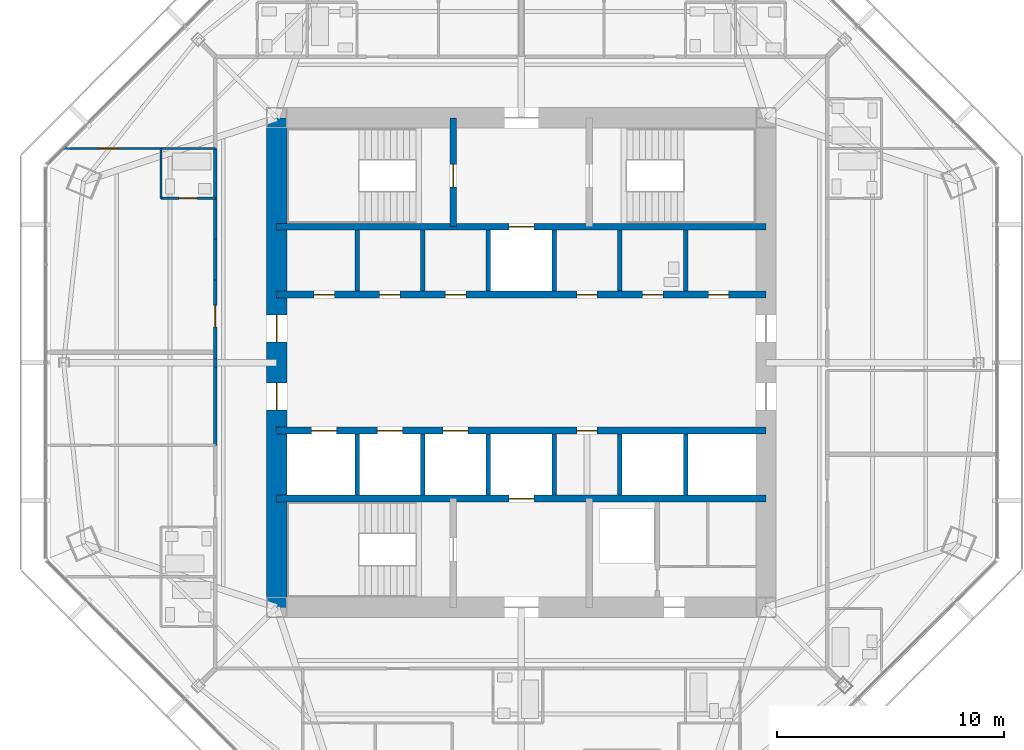
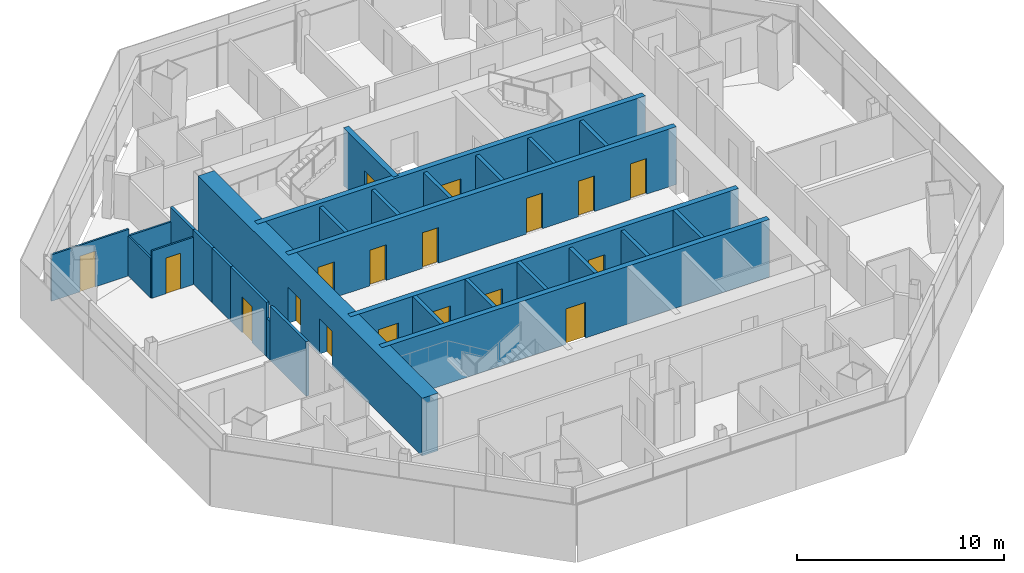
# One storey, part 10 of 15: 28 walls, 18 doors, 18 openings.
"""IFC4 building model written with IfcOpenShell, lengths in metres."""

from ifc_helpers import new_model, si_unit, direction, frame, frame_2d, origin, place, context, subcontext, project, spatial, rectangle, extrude, material, layer, layer_set, type_object, element, fill, save


model = new_model("IFC4")

# Units and contexts
model_context = context("Model", 3, precision=1e-05, world=origin(), true_north=direction((0.0, 1.0)))
body_context = subcontext(model_context, "Body", "Model", "MODEL_VIEW")
ifc_project = project(units=[si_unit("LENGTHUNIT", "METRE"), si_unit("AREAUNIT", "SQUARE_METRE"), si_unit("VOLUMEUNIT", "CUBIC_METRE"), si_unit("PLANEANGLEUNIT", "RADIAN"), si_unit("MASSUNIT", "GRAM", prefix="KILO")], contexts=[model_context])

# Site, building, storey
site_placement = place(None, origin())
site = spatial("IfcSite", under=ifc_project, at=site_placement, CompositionType="ELEMENT")
building_placement = place(site_placement, origin())
building = spatial("IfcBuilding", under=site, at=building_placement, Name="Mashrafa Tower", CompositionType="ELEMENT")
storey_placement = place(building_placement, frame((0.0, 0.0, 248.199951171875)))
storey = spatial("IfcBuildingStorey", under=building, at=storey_placement, Name="L59", CompositionType="ELEMENT", Elevation=248.199951171875)

# Wall, openings, doors
ifc_material_1 = material(Name="Concrete C50/60", Category="concrete")
ifc_layer_1 = layer(ifc_material_1, 0.300048828125)
ifc_layer_set_1 = layer_set([ifc_layer_1], Name="Core wall 300 C50/60")
wall_type_1 = type_object("IfcWallType", Name="Core wall 300 C50/60", PredefinedType="SOLIDWALL", material=ifc_layer_set_1)
wall_1_placement = place(storey_placement, frame((-10.800048828125, 3.0, 0.0), z_axis=(0.0, 0.0, 1.0), x_axis=(1.0, 0.0, 0.0)))
wall_1 = element("IfcWall", 1, at=wall_1_placement, inside=storey, type_object=wall_type_1, Name="Core wall CH-N L59", PredefinedType="SOLIDWALL", context=body_context, shape_type="SweptSolid", body=[
    extrude(rectangle(XDim=21.60009765625, YDim=0.300048828125, at=frame_2d((10.800048828125, 0.0))), origin(), (0.0, 0.0, 1.0), 3.400146484375),
])
opening_1_placement = place(wall_1_placement, frame((1.64990234375, 0.0, 0.0)))
opening_1 = element("IfcOpeningElement", 2, at=opening_1_placement, cuts=wall_1, Name="Opening 59.049", PredefinedType="OPENING", context=body_context, shape_type="SweptSolid", body=[
    extrude(rectangle(XDim=0.89990234375, YDim=2.10009765625, at=frame_2d((0.449951171875, 1.050048828125))), frame((0.0, 0.159912109375, 0.0), z_axis=(0.0, -1.0, 0.0), x_axis=(1.0, 0.0, 0.0)), (0.0, 0.0, 1.0), 0.320068359375),
])
opening_2_placement = place(wall_1_placement, frame((13.25, 0.0, 0.0)))
opening_2 = element("IfcOpeningElement", 3, at=opening_2_placement, cuts=wall_1, Name="Opening 59.050", PredefinedType="OPENING", context=body_context, shape_type="SweptSolid", body=[
    extrude(rectangle(XDim=0.89990234375, YDim=2.10009765625, at=frame_2d((0.449951171875, 1.050048828125))), frame((0.0, 0.159912109375, 0.0), z_axis=(0.0, -1.0, 0.0), x_axis=(1.0, 0.0, 0.0)), (0.0, 0.0, 1.0), 0.320068359375),
])
opening_3_placement = place(wall_1_placement, frame((16.14990234375, 0.0, 0.0)))
opening_3 = element("IfcOpeningElement", 4, at=opening_3_placement, cuts=wall_1, Name="Opening 59.051", PredefinedType="OPENING", context=body_context, shape_type="SweptSolid", body=[
    extrude(rectangle(XDim=0.89990234375, YDim=2.10009765625, at=frame_2d((0.449951171875, 1.050048828125))), frame((0.0, 0.159912109375, 0.0), z_axis=(0.0, -1.0, 0.0), x_axis=(1.0, 0.0, 0.0)), (0.0, 0.0, 1.0), 0.320068359375),
])
opening_4_placement = place(wall_1_placement, frame((4.550048828125, 0.0, 0.0)))
opening_4 = element("IfcOpeningElement", 5, at=opening_4_placement, cuts=wall_1, Name="Opening 59.053", PredefinedType="OPENING", context=body_context, shape_type="SweptSolid", body=[
    extrude(rectangle(XDim=0.89990234375, YDim=2.10009765625, at=frame_2d((0.449951171875, 1.050048828125))), frame((0.0, 0.159912109375, 0.0), z_axis=(0.0, -1.0, 0.0), x_axis=(1.0, 0.0, 0.0)), (0.0, 0.0, 1.0), 0.320068359375),
])
opening_5_placement = place(wall_1_placement, frame((7.449951171875, 0.0, 0.0)))
opening_5 = element("IfcOpeningElement", 6, at=opening_5_placement, cuts=wall_1, Name="Opening 59.054", PredefinedType="OPENING", context=body_context, shape_type="SweptSolid", body=[
    extrude(rectangle(XDim=0.89990234375, YDim=2.10009765625, at=frame_2d((0.449951171875, 1.050048828125))), frame((0.0, 0.159912109375, 0.0), z_axis=(0.0, -1.0, 0.0), x_axis=(1.0, 0.0, 0.0)), (0.0, 0.0, 1.0), 0.320068359375),
])
opening_6_placement = place(wall_1_placement, frame((19.050048828125, 0.0, 0.0)))
opening_6 = element("IfcOpeningElement", 7, at=opening_6_placement, cuts=wall_1, Name="Opening 59.055", PredefinedType="OPENING", context=body_context, shape_type="SweptSolid", body=[
    extrude(rectangle(XDim=0.89990234375, YDim=2.10009765625, at=frame_2d((0.449951171875, 1.050048828125))), frame((0.0, 0.159912109375, 0.0), z_axis=(0.0, -1.0, 0.0), x_axis=(1.0, 0.0, 0.0)), (0.0, 0.0, 1.0), 0.320068359375),
])
ifc_material_2 = material(Name="Timber door", Category="wood")
door_type_1 = type_object("IfcDoorType", Name="Store door 900 x 2100", OperationType="USERDEFINED", PredefinedType="DOOR", material=ifc_material_2)
door_1_placement = place(opening_1_placement, origin())
door_1 = element("IfcDoor", 8, at=door_1_placement, inside=storey, type_object=door_type_1, Name="Refuse Chute Room L59 door", OperationType="SINGLE_SWING_RIGHT", OverallHeight=2.10009765625, OverallWidth=0.89990234375, PredefinedType="DOOR", context=body_context, shape_type="SweptSolid", body=[
    extrude(rectangle(XDim=0.89990234375, YDim=2.10009765625, at=frame_2d((0.449951171875, 1.050048828125))), frame((0.0, 0.02490234375, 0.0), z_axis=(0.0, -1.0, 0.0), x_axis=(1.0, 0.0, 0.0)), (0.0, 0.0, 1.0), 0.050048828125),
])
fill(opening_1, door_1)
door_2_placement = place(opening_2_placement, origin())
door_2 = element("IfcDoor", 9, at=door_2_placement, inside=storey, type_object=door_type_1, Name="Cleaner's Store L59 door", OperationType="SINGLE_SWING_LEFT", OverallHeight=2.10009765625, OverallWidth=0.89990234375, PredefinedType="DOOR", context=body_context, shape_type="SweptSolid", body=[
    extrude(rectangle(XDim=0.89990234375, YDim=2.10009765625, at=frame_2d((0.449951171875, 1.050048828125))), frame((0.0, 0.02490234375, 0.0), z_axis=(0.0, -1.0, 0.0), x_axis=(1.0, 0.0, 0.0)), (0.0, 0.0, 1.0), 0.050048828125),
])
fill(opening_2, door_2)
door_3_placement = place(opening_4_placement, origin())
door_3 = element("IfcDoor", 10, at=door_3_placement, inside=storey, type_object=door_type_1, Name="Residents' Store L59-A2 door", OperationType="SINGLE_SWING_LEFT", OverallHeight=2.10009765625, OverallWidth=0.89990234375, PredefinedType="DOOR", context=body_context, shape_type="SweptSolid", body=[
    extrude(rectangle(XDim=0.89990234375, YDim=2.10009765625, at=frame_2d((0.449951171875, 1.050048828125))), frame((0.0, 0.02490234375, 0.0), z_axis=(0.0, -1.0, 0.0), x_axis=(1.0, 0.0, 0.0)), (0.0, 0.0, 1.0), 0.050048828125),
])
fill(opening_4, door_3)
door_4_placement = place(opening_5_placement, origin())
door_4 = element("IfcDoor", 11, at=door_4_placement, inside=storey, type_object=door_type_1, Name="Residents' Store L59-A3 door", OperationType="SINGLE_SWING_LEFT", OverallHeight=2.10009765625, OverallWidth=0.89990234375, PredefinedType="DOOR", context=body_context, shape_type="SweptSolid", body=[
    extrude(rectangle(XDim=0.89990234375, YDim=2.10009765625, at=frame_2d((0.449951171875, 1.050048828125))), frame((0.0, 0.02490234375, 0.0), z_axis=(0.0, -1.0, 0.0), x_axis=(1.0, 0.0, 0.0)), (0.0, 0.0, 1.0), 0.050048828125),
])
fill(opening_5, door_4)
door_5_placement = place(opening_6_placement, origin())
door_5 = element("IfcDoor", 12, at=door_5_placement, inside=storey, type_object=door_type_1, Name="Residents' Store L59-K2 door", OperationType="SINGLE_SWING_LEFT", OverallHeight=2.10009765625, OverallWidth=0.89990234375, PredefinedType="DOOR", context=body_context, shape_type="SweptSolid", body=[
    extrude(rectangle(XDim=0.89990234375, YDim=2.10009765625, at=frame_2d((0.449951171875, 1.050048828125))), frame((0.0, 0.02490234375, 0.0), z_axis=(0.0, -1.0, 0.0), x_axis=(1.0, 0.0, 0.0)), (0.0, 0.0, 1.0), 0.050048828125),
])
fill(opening_6, door_5)
ifc_material_3 = material(Name="Timber door", Category="wood")
door_type_2 = type_object("IfcDoorType", Name="Toilet door 900 x 2100", OperationType="USERDEFINED", PredefinedType="DOOR", material=ifc_material_3)
door_6_placement = place(opening_3_placement, origin())
door_6 = element("IfcDoor", 13, at=door_6_placement, inside=storey, type_object=door_type_2, Name="Staff WC L59 door", OperationType="SINGLE_SWING_LEFT", OverallHeight=2.10009765625, OverallWidth=0.89990234375, PredefinedType="DOOR", context=body_context, shape_type="SweptSolid", body=[
    extrude(rectangle(XDim=0.89990234375, YDim=2.10009765625, at=frame_2d((0.449951171875, 1.050048828125))), frame((0.0, 0.02490234375, 0.0), z_axis=(0.0, -1.0, 0.0), x_axis=(1.0, 0.0, 0.0)), (0.0, 0.0, 1.0), 0.050048828125),
])
fill(opening_3, door_6)

# Wall, opening, door
wall_2_placement = place(storey_placement, frame((-10.800048828125, 6.0, 0.0), z_axis=(0.0, 0.0, 1.0), x_axis=(1.0, 0.0, 0.0)))
wall_2 = element("IfcWall", 14, at=wall_2_placement, inside=storey, type_object=wall_type_1, Name="Core wall CB-N L59", PredefinedType="SOLIDWALL", context=body_context, shape_type="SweptSolid", body=[
    extrude(rectangle(XDim=21.60009765625, YDim=0.300048828125, at=frame_2d((10.800048828125, 0.0))), origin(), (0.0, 0.0, 1.0), 3.400146484375),
])
opening_7_placement = place(wall_2_placement, frame((10.25, 0.0, 0.0)))
opening_7 = element("IfcOpeningElement", 15, at=opening_7_placement, cuts=wall_2, Name="Opening 59.F1", PredefinedType="OPENING", context=body_context, shape_type="SweptSolid", body=[
    extrude(rectangle(XDim=1.10009765625, YDim=2.10009765625, at=frame_2d((0.550048828125, 1.050048828125))), frame((0.0, 0.159912109375, 0.0), z_axis=(0.0, -1.0, 0.0), x_axis=(1.0, 0.0, 0.0)), (0.0, 0.0, 1.0), 0.320068359375),
])
ifc_material_4 = material(Name="Steel door", Category="steel")
door_type_3 = type_object("IfcDoorType", Name="Lift landing door 1100 x 2100 90 min", OperationType="DOUBLE_DOOR_SLIDING", PredefinedType="DOOR", material=ifc_material_4)
door_7_placement = place(opening_7_placement, origin())
door_7 = element("IfcDoor", 16, at=door_7_placement, inside=storey, type_object=door_type_3, Name="Lift landing door F1 L59", OperationType="DOUBLE_DOOR_SLIDING", OverallHeight=2.10009765625, OverallWidth=1.10009765625, PredefinedType="DOOR", context=body_context, shape_type="SweptSolid", body=[
    extrude(rectangle(XDim=1.10009765625, YDim=2.10009765625, at=frame_2d((0.550048828125, 1.050048828125))), frame((0.0, 0.02490234375, 0.0), z_axis=(0.0, -1.0, 0.0), x_axis=(1.0, 0.0, 0.0)), (0.0, 0.0, 1.0), 0.050048828125),
])
fill(opening_7, door_7)

wall_3_placement = place(storey_placement, frame((-3.0, 6.0, 0.0), z_axis=(0.0, 0.0, 1.0), x_axis=(0.0, 1.0, 0.0)))
wall_3 = element("IfcWall", 17, at=wall_3_placement, inside=storey, type_object=wall_type_1, Name="Core wall CX-NW L59", PredefinedType="SOLIDWALL", context=body_context, shape_type="SweptSolid", body=[
    extrude(rectangle(XDim=4.800048828125, YDim=0.300048828125, at=frame_2d((2.39990234375, 0.0))), origin(), (0.0, 0.0, 1.0), 3.400146484375),
])
opening_8_placement = place(wall_3_placement, frame((1.75, 0.0, 0.0)))
opening_8 = element("IfcOpeningElement", 18, at=opening_8_placement, cuts=wall_3, Name="Opening 59.042", PredefinedType="OPENING", context=body_context, shape_type="SweptSolid", body=[
    extrude(rectangle(XDim=1.0, YDim=2.10009765625, at=frame_2d((0.5, 1.050048828125))), frame((0.0, 0.159912109375, 0.0), z_axis=(0.0, -1.0, 0.0), x_axis=(1.0, 0.0, 0.0)), (0.0, 0.0, 1.0), 0.320068359375),
])
ifc_material_5 = material(Name="Steel door", Category="steel")
door_type_4 = type_object("IfcDoorType", Name="Stair door 1000 x 2100 90 min", OperationType="USERDEFINED", PredefinedType="DOOR", material=ifc_material_5)
door_8_placement = place(opening_8_placement, origin())
door_8 = element("IfcDoor", 19, at=door_8_placement, inside=storey, type_object=door_type_4, Name="Stair S1 door L59", OperationType="SINGLE_SWING_LEFT", OverallHeight=2.10009765625, OverallWidth=1.0, PredefinedType="DOOR", context=body_context, shape_type="SweptSolid", body=[
    extrude(rectangle(XDim=1.0, YDim=2.10009765625, at=frame_2d((0.5, 1.050048828125))), frame((0.0, 0.02490234375, 0.0), z_axis=(0.0, -1.0, 0.0), x_axis=(1.0, 0.0, 0.0)), (0.0, 0.0, 1.0), 0.050048828125),
])
fill(opening_8, door_8)

# Wall, openings, doors
wall_4_placement = place(storey_placement, frame((-10.800048828125, -3.0, 0.0), z_axis=(0.0, 0.0, 1.0), x_axis=(1.0, 0.0, 0.0)))
wall_4 = element("IfcWall", 20, at=wall_4_placement, inside=storey, type_object=wall_type_1, Name="Core wall CH-S L59", PredefinedType="SOLIDWALL", context=body_context, shape_type="SweptSolid", body=[
    extrude(rectangle(XDim=21.60009765625, YDim=0.300048828125, at=frame_2d((10.800048828125, 0.0))), origin(), (0.0, 0.0, 1.0), 3.400146484375),
])
opening_9_placement = place(wall_4_placement, frame((13.25, 0.0, 0.0)))
opening_9 = element("IfcOpeningElement", 21, at=opening_9_placement, cuts=wall_4, Name="Opening 59.052", PredefinedType="OPENING", context=body_context, shape_type="SweptSolid", body=[
    extrude(rectangle(XDim=0.89990234375, YDim=2.10009765625, at=frame_2d((0.449951171875, 1.050048828125))), frame((0.0, 0.159912109375, 0.0), z_axis=(0.0, -1.0, 0.0), x_axis=(1.0, 0.0, 0.0)), (0.0, 0.0, 1.0), 0.320068359375),
])
opening_10_placement = place(wall_4_placement, frame((1.550048828125, 0.0, 0.0)))
opening_10 = element("IfcOpeningElement", 22, at=opening_10_placement, cuts=wall_4, Name="Opening 59.AL1", PredefinedType="OPENING", context=body_context, shape_type="SweptSolid", body=[
    extrude(rectangle(XDim=1.10009765625, YDim=2.10009765625, at=frame_2d((0.550048828125, 1.050048828125))), frame((0.0, 0.159912109375, 0.0), z_axis=(0.0, -1.0, 0.0), x_axis=(1.0, 0.0, 0.0)), (0.0, 0.0, 1.0), 0.320068359375),
])
opening_11_placement = place(wall_4_placement, frame((4.449951171875, 0.0, 0.0)))
opening_11 = element("IfcOpeningElement", 23, at=opening_11_placement, cuts=wall_4, Name="Opening 59.AL2", PredefinedType="OPENING", context=body_context, shape_type="SweptSolid", body=[
    extrude(rectangle(XDim=1.10009765625, YDim=2.10009765625, at=frame_2d((0.550048828125, 1.050048828125))), frame((0.0, 0.159912109375, 0.0), z_axis=(0.0, -1.0, 0.0), x_axis=(1.0, 0.0, 0.0)), (0.0, 0.0, 1.0), 0.320068359375),
])
opening_12_placement = place(wall_4_placement, frame((7.35009765625, 0.0, 0.0)))
opening_12 = element("IfcOpeningElement", 24, at=opening_12_placement, cuts=wall_4, Name="Opening 59.AL3", PredefinedType="OPENING", context=body_context, shape_type="SweptSolid", body=[
    extrude(rectangle(XDim=1.10009765625, YDim=2.10009765625, at=frame_2d((0.550048828125, 1.050048828125))), frame((0.0, 0.159912109375, 0.0), z_axis=(0.0, -1.0, 0.0), x_axis=(1.0, 0.0, 0.0)), (0.0, 0.0, 1.0), 0.320068359375),
])
door_9_placement = place(opening_10_placement, origin())
door_9 = element("IfcDoor", 25, at=door_9_placement, inside=storey, type_object=door_type_3, Name="Lift landing door AL1 L59", OperationType="DOUBLE_DOOR_SLIDING", OverallHeight=2.10009765625, OverallWidth=1.10009765625, PredefinedType="DOOR", context=body_context, shape_type="SweptSolid", body=[
    extrude(rectangle(XDim=1.10009765625, YDim=2.10009765625, at=frame_2d((0.550048828125, 1.050048828125))), frame((0.0, 0.02490234375, 0.0), z_axis=(0.0, -1.0, 0.0), x_axis=(1.0, 0.0, 0.0)), (0.0, 0.0, 1.0), 0.050048828125),
])
fill(opening_10, door_9)
door_10_placement = place(opening_11_placement, origin())
door_10 = element("IfcDoor", 26, at=door_10_placement, inside=storey, type_object=door_type_3, Name="Lift landing door AL2 L59", OperationType="DOUBLE_DOOR_SLIDING", OverallHeight=2.10009765625, OverallWidth=1.10009765625, PredefinedType="DOOR", context=body_context, shape_type="SweptSolid", body=[
    extrude(rectangle(XDim=1.10009765625, YDim=2.10009765625, at=frame_2d((0.550048828125, 1.050048828125))), frame((0.0, 0.02490234375, 0.0), z_axis=(0.0, -1.0, 0.0), x_axis=(1.0, 0.0, 0.0)), (0.0, 0.0, 1.0), 0.050048828125),
])
fill(opening_11, door_10)
door_11_placement = place(opening_12_placement, origin())
door_11 = element("IfcDoor", 27, at=door_11_placement, inside=storey, type_object=door_type_3, Name="Lift landing door AL3 L59", OperationType="DOUBLE_DOOR_SLIDING", OverallHeight=2.10009765625, OverallWidth=1.10009765625, PredefinedType="DOOR", context=body_context, shape_type="SweptSolid", body=[
    extrude(rectangle(XDim=1.10009765625, YDim=2.10009765625, at=frame_2d((0.550048828125, 1.050048828125))), frame((0.0, 0.02490234375, 0.0), z_axis=(0.0, -1.0, 0.0), x_axis=(1.0, 0.0, 0.0)), (0.0, 0.0, 1.0), 0.050048828125),
])
fill(opening_12, door_11)
door_12_placement = place(opening_9_placement, frame((0.89990234375, 0.0, 0.0), z_axis=(0.0, 0.0, 1.0), x_axis=(-1.0, 0.0, 0.0)))
door_12 = element("IfcDoor", 28, at=door_12_placement, inside=storey, type_object=door_type_1, Name="Linen Store L59 door", OperationType="SINGLE_SWING_RIGHT", OverallHeight=2.10009765625, OverallWidth=0.89990234375, PredefinedType="DOOR", context=body_context, shape_type="SweptSolid", body=[
    extrude(rectangle(XDim=0.89990234375, YDim=2.10009765625, at=frame_2d((0.449951171875, 1.050048828125))), frame((0.0, 0.02490234375, 0.0), z_axis=(0.0, -1.0, 0.0), x_axis=(1.0, 0.0, 0.0)), (0.0, 0.0, 1.0), 0.050048828125),
])
fill(opening_9, door_12)

# Wall, opening, door
wall_5_placement = place(storey_placement, frame((-10.800048828125, -6.0, 0.0), z_axis=(0.0, 0.0, 1.0), x_axis=(1.0, 0.0, 0.0)))
wall_5 = element("IfcWall", 29, at=wall_5_placement, inside=storey, type_object=wall_type_1, Name="Core wall CB-S L59", PredefinedType="SOLIDWALL", context=body_context, shape_type="SweptSolid", body=[
    extrude(rectangle(XDim=21.60009765625, YDim=0.300048828125, at=frame_2d((10.800048828125, 0.0))), origin(), (0.0, 0.0, 1.0), 3.400146484375),
])
opening_13_placement = place(wall_5_placement, frame((10.25, 0.0, 0.0)))
opening_13 = element("IfcOpeningElement", 30, at=opening_13_placement, cuts=wall_5, Name="Opening 59.F2", PredefinedType="OPENING", context=body_context, shape_type="SweptSolid", body=[
    extrude(rectangle(XDim=1.10009765625, YDim=2.10009765625, at=frame_2d((0.550048828125, 1.050048828125))), frame((0.0, 0.159912109375, 0.0), z_axis=(0.0, -1.0, 0.0), x_axis=(1.0, 0.0, 0.0)), (0.0, 0.0, 1.0), 0.320068359375),
])
door_13_placement = place(opening_13_placement, origin())
door_13 = element("IfcDoor", 31, at=door_13_placement, inside=storey, type_object=door_type_3, Name="Lift landing door F2 L59", OperationType="DOUBLE_DOOR_SLIDING", OverallHeight=2.10009765625, OverallWidth=1.10009765625, PredefinedType="DOOR", context=body_context, shape_type="SweptSolid", body=[
    extrude(rectangle(XDim=1.10009765625, YDim=2.10009765625, at=frame_2d((0.550048828125, 1.050048828125))), frame((0.0, 0.02490234375, 0.0), z_axis=(0.0, -1.0, 0.0), x_axis=(1.0, 0.0, 0.0)), (0.0, 0.0, 1.0), 0.050048828125),
])
fill(opening_13, door_13)

# Wall, openings, doors
ifc_material_6 = material(Name="Concrete C50/60", Category="concrete")
ifc_layer_2 = layer(ifc_material_6, 0.89990234375)
ifc_layer_set_2 = layer_set([ifc_layer_2], Name="Core wall 900 C50/60")
wall_type_2 = type_object("IfcWallType", Name="Core wall 900 C50/60", PredefinedType="SOLIDWALL", material=ifc_layer_set_2)
wall_6_placement = place(storey_placement, frame((-10.800048828125, 10.800048828125, 0.0), z_axis=(0.0, 0.0, 1.0), x_axis=(0.0, -1.0, 0.0)))
wall_6 = element("IfcWall", 32, at=wall_6_placement, inside=storey, type_object=wall_type_2, Name="Core wall CW-W L59", PredefinedType="SOLIDWALL", context=body_context, shape_type="SweptSolid", body=[
    extrude(rectangle(XDim=21.60009765625, YDim=0.89990234375, at=frame_2d((10.800048828125, 0.0))), origin(), (0.0, 0.0, 1.0), 3.400146484375),
])
opening_14_placement = place(wall_6_placement, frame((8.699951171875, 0.0, 0.0)))
opening_14 = element("IfcOpeningElement", 33, at=opening_14_placement, cuts=wall_6, Name="Opening 59.037", PredefinedType="OPENING", context=body_context, shape_type="SweptSolid", body=[
    extrude(rectangle(XDim=1.199951171875, YDim=2.10009765625, at=frame_2d((0.60009765625, 1.050048828125))), frame((0.0, 0.4599609375, 0.0), z_axis=(0.0, -1.0, 0.0), x_axis=(1.0, 0.0, 0.0)), (0.0, 0.0, 1.0), 0.919921875),
])
opening_15_placement = place(wall_6_placement, frame((11.699951171875, 0.0, 0.0)))
opening_15 = element("IfcOpeningElement", 34, at=opening_15_placement, cuts=wall_6, Name="Opening 59.039", PredefinedType="OPENING", context=body_context, shape_type="SweptSolid", body=[
    extrude(rectangle(XDim=1.199951171875, YDim=2.10009765625, at=frame_2d((0.60009765625, 1.050048828125))), frame((0.0, 0.4599609375, 0.0), z_axis=(0.0, -1.0, 0.0), x_axis=(1.0, 0.0, 0.0)), (0.0, 0.0, 1.0), 0.919921875),
])
ifc_material_7 = material(Name="Steel door", Category="steel")
door_type_5 = type_object("IfcDoorType", Name="Lift hall door 1200 x 2100 90 min", OperationType="USERDEFINED", PredefinedType="DOOR", material=ifc_material_7)
door_14_placement = place(opening_14_placement, frame((1.199951171875, 0.0, 0.0), z_axis=(0.0, 0.0, 1.0), x_axis=(-1.0, 0.0, 0.0)))
door_14 = element("IfcDoor", 35, at=door_14_placement, inside=storey, type_object=door_type_5, Name="Lift hall door west L59", OperationType="SINGLE_SWING_RIGHT", OverallHeight=2.10009765625, OverallWidth=1.199951171875, PredefinedType="DOOR", context=body_context, shape_type="SweptSolid", body=[
    extrude(rectangle(XDim=1.199951171875, YDim=2.10009765625, at=frame_2d((0.60009765625, 1.050048828125))), frame((0.0, 0.02490234375, 0.0), z_axis=(0.0, -1.0, 0.0), x_axis=(1.0, 0.0, 0.0)), (0.0, 0.0, 1.0), 0.050048828125),
])
fill(opening_14, door_14)
door_15_placement = place(opening_15_placement, frame((1.199951171875, 0.0, 0.0), z_axis=(0.0, 0.0, 1.0), x_axis=(-1.0, 0.0, 0.0)))
door_15 = element("IfcDoor", 36, at=door_15_placement, inside=storey, type_object=door_type_5, Name="Lift hall door west L59", OperationType="SINGLE_SWING_LEFT", OverallHeight=2.10009765625, OverallWidth=1.199951171875, PredefinedType="DOOR", context=body_context, shape_type="SweptSolid", body=[
    extrude(rectangle(XDim=1.199951171875, YDim=2.10009765625, at=frame_2d((0.60009765625, 1.050048828125))), frame((0.0, 0.02490234375, 0.0), z_axis=(0.0, -1.0, 0.0), x_axis=(1.0, 0.0, 0.0)), (0.0, 0.0, 1.0), 0.050048828125),
])
fill(opening_15, door_15)

# Walls
ifc_material_8 = material(Name="Gypsum board on steel studs", Category="steel")
ifc_layer_3 = layer(ifc_material_8, 0.14990234375)
ifc_layer_set_3 = layer_set([ifc_layer_3], Name="Corridor partition 150 1 hr")
wall_type_3 = type_object("IfcWallType", Name="Corridor partition 150 1 hr", PredefinedType="PARTITIONING", material=ifc_layer_set_3)
wall_7_placement = place(storey_placement, frame((-13.5, 9.450927734375, 0.0), z_axis=(0.0, 0.0, 1.0), x_axis=(0.0, -1.0, 0.0)))
element("IfcWall", 37, at=wall_7_placement, inside=storey, type_object=wall_type_3, Name="Corridor wall L59-026", PredefinedType="PARTITIONING", context=body_context, shape_type="SweptSolid", body=[
    extrude(rectangle(XDim=2.201904296875, YDim=0.14990234375, at=frame_2d((1.10107421875, 0.0))), origin(), (0.0, 0.0, 1.0), 3.199951171875),
])
wall_8_placement = place(storey_placement, frame((-13.5, 5.450927734375, 0.0), z_axis=(0.0, 0.0, 1.0), x_axis=(0.0, -1.0, 0.0)))
element("IfcWall", 38, at=wall_8_placement, inside=storey, type_object=wall_type_3, Name="Corridor wall L59-027", PredefinedType="PARTITIONING", context=body_context, shape_type="SweptSolid", body=[
    extrude(rectangle(XDim=1.802001953125, YDim=0.14990234375, at=frame_2d((0.90087890625, 0.0))), origin(), (0.0, 0.0, 1.0), 3.199951171875),
])

# Wall, opening, door
wall_9_placement = place(storey_placement, frame((-13.5, 3.65087890625, 0.0), z_axis=(0.0, 0.0, 1.0), x_axis=(0.0, -1.0, 0.0)))
wall_9 = element("IfcWall", 39, at=wall_9_placement, inside=storey, type_object=wall_type_3, Name="Corridor wall L59-028", PredefinedType="PARTITIONING", context=body_context, shape_type="SweptSolid", body=[
    extrude(rectangle(XDim=3.468505859375, YDim=0.14990234375, at=frame_2d((1.734375, 0.0))), origin(), (0.0, 0.0, 1.0), 3.199951171875),
])
opening_16_placement = place(wall_9_placement, frame((1.1259765625, 0.0, 0.0)))
opening_16 = element("IfcOpeningElement", 40, at=opening_16_placement, cuts=wall_9, Name="Opening 59.020", PredefinedType="OPENING", context=body_context, shape_type="SweptSolid", body=[
    extrude(rectangle(XDim=0.949951171875, YDim=2.10009765625, at=frame_2d((0.47509765625, 1.050048828125))), frame((0.0, 0.0849609375, 0.0), z_axis=(0.0, -1.0, 0.0), x_axis=(1.0, 0.0, 0.0)), (0.0, 0.0, 1.0), 0.169921875),
])
ifc_material_9 = material(Name="Steel door", Category="steel")
door_type_6 = type_object("IfcDoorType", Name="Residence entrance door 950 x 2100 20 min", OperationType="USERDEFINED", PredefinedType="DOOR", material=ifc_material_9)
door_16_placement = place(opening_16_placement, frame((0.949951171875, 0.0, 0.0), z_axis=(0.0, 0.0, 1.0), x_axis=(-1.0, 0.0, 0.0)))
door_16 = element("IfcDoor", 41, at=door_16_placement, inside=storey, type_object=door_type_6, Name="Apartment 5905 Living Room door", OperationType="SINGLE_SWING_LEFT", OverallHeight=2.10009765625, OverallWidth=0.949951171875, PredefinedType="DOOR", context=body_context, shape_type="SweptSolid", body=[
    extrude(rectangle(XDim=0.949951171875, YDim=2.10009765625, at=frame_2d((0.47509765625, 1.050048828125))), frame((0.0, 0.02490234375, 0.0), z_axis=(0.0, -1.0, 0.0), x_axis=(1.0, 0.0, 0.0)), (0.0, 0.0, 1.0), 0.050048828125),
])
fill(opening_16, door_16)

# Walls
wall_10_placement = place(storey_placement, frame((-13.5, 7.2509765625, 0.0), z_axis=(0.0, 0.0, 1.0), x_axis=(0.0, -1.0, 0.0)))
element("IfcWall", 42, at=wall_10_placement, inside=storey, type_object=wall_type_3, Name="Corridor wall L59-029", PredefinedType="PARTITIONING", context=body_context, shape_type="SweptSolid", body=[
    extrude(rectangle(XDim=1.802001953125, YDim=0.14990234375, at=frame_2d((0.90087890625, 0.0))), origin(), (0.0, 0.0, 1.0), 3.199951171875),
])
wall_11_placement = place(storey_placement, frame((-13.5, -0.182373046875, 0.0), z_axis=(0.0, 0.0, 1.0), x_axis=(0.0, -1.0, 0.0)))
element("IfcWall", 43, at=wall_11_placement, inside=storey, type_object=wall_type_3, Name="Corridor wall L59-035", PredefinedType="PARTITIONING", context=body_context, shape_type="SweptSolid", body=[
    extrude(rectangle(XDim=3.468505859375, YDim=0.14990234375, at=frame_2d((1.734375, 0.0))), origin(), (0.0, 0.0, 1.0), 3.199951171875),
])
wall_12_placement = place(storey_placement, frame((-13.5, 0.182373046875, 0.0), z_axis=(0.0, 0.0, 1.0), x_axis=(0.0, -1.0, 0.0)))
element("IfcWall", 44, at=wall_12_placement, inside=storey, type_object=wall_type_3, Name="Corridor wall L59-036", PredefinedType="PARTITIONING", context=body_context, shape_type="SweptSolid", body=[
    extrude(rectangle(XDim=0.36474609375, YDim=0.14990234375, at=frame_2d((0.182373046875, 0.0))), origin(), (0.0, 0.0, 1.0), 2.26806640625),
])
ifc_material_10 = material(Name="Gypsum board on steel studs", Category="steel")
ifc_layer_4 = layer(ifc_material_10, 0.10009765625)
ifc_layer_set_4 = layer_set([ifc_layer_4], Name="Partition 100")
wall_type_4 = type_object("IfcWallType", Name="Partition 100", PredefinedType="PARTITIONING", material=ifc_layer_set_4)
wall_13_placement = place(storey_placement, frame((-15.90087890625, 9.449951171875, 0.0), z_axis=(0.0, 0.0, 1.0), x_axis=(1.0, 0.0, 0.0)))
element("IfcWall", 45, at=wall_13_placement, inside=storey, type_object=wall_type_4, Name="Partition wall L59-077", PredefinedType="PARTITIONING", context=body_context, shape_type="SweptSolid", body=[
    extrude(rectangle(XDim=2.40087890625, YDim=0.10009765625, at=frame_2d((1.200439453125, 0.0))), origin(), (0.0, 0.0, 1.0), 2.349365234375),
])

# Wall, opening, door
wall_14_placement = place(storey_placement, frame((-20.217529296875, 9.449951171875, 0.0), z_axis=(0.0, 0.0, 1.0), x_axis=(1.0, 0.0, 0.0)))
wall_14 = element("IfcWall", 46, at=wall_14_placement, inside=storey, type_object=wall_type_4, Name="Partition wall L59-078", PredefinedType="PARTITIONING", context=body_context, shape_type="SweptSolid", body=[
    extrude(rectangle(XDim=4.318603515625, YDim=0.10009765625, at=frame_2d((2.1591796875, 0.0))), origin(), (0.0, 0.0, 1.0), 2.740478515625),
])
opening_17_placement = place(wall_14_placement, frame((1.5869140625, 0.0, 0.0)))
opening_17 = element("IfcOpeningElement", 47, at=opening_17_placement, cuts=wall_14, Name="Opening 59.018", PredefinedType="OPENING", context=body_context, shape_type="SweptSolid", body=[
    extrude(rectangle(XDim=0.85009765625, YDim=2.10009765625, at=frame_2d((0.425048828125, 1.050048828125))), frame((0.0, 0.06005859375, 0.0), z_axis=(0.0, -1.0, 0.0), x_axis=(1.0, 0.0, 0.0)), (0.0, 0.0, 1.0), 0.1201171875),
])
ifc_material_11 = material(Name="Timber door", Category="wood")
door_type_7 = type_object("IfcDoorType", Name="Bedroom door 850 x 2100", OperationType="USERDEFINED", PredefinedType="DOOR", material=ifc_material_11)
door_17_placement = place(opening_17_placement, origin())
door_17 = element("IfcDoor", 48, at=door_17_placement, inside=storey, type_object=door_type_7, Name="Apartment 5905 Bedroom 1 door", OperationType="SINGLE_SWING_LEFT", OverallHeight=2.10009765625, OverallWidth=0.85009765625, PredefinedType="DOOR", context=body_context, shape_type="SweptSolid", body=[
    extrude(rectangle(XDim=0.85009765625, YDim=2.10009765625, at=frame_2d((0.425048828125, 1.050048828125))), frame((0.0, 0.02490234375, 0.0), z_axis=(0.0, -1.0, 0.0), x_axis=(1.0, 0.0, 0.0)), (0.0, 0.0, 1.0), 0.050048828125),
])
fill(opening_17, door_17)

# Wall
wall_15_placement = place(storey_placement, frame((-15.89990234375, 9.449951171875, 0.0), z_axis=(0.0, 0.0, 1.0), x_axis=(0.0, -1.0, 0.0)))
element("IfcWall", 49, at=wall_15_placement, inside=storey, type_object=wall_type_4, Name="Partition wall L59-079", PredefinedType="PARTITIONING", context=body_context, shape_type="SweptSolid", body=[
    extrude(rectangle(XDim=2.199951171875, YDim=0.10009765625, at=frame_2d((1.10009765625, 0.0))), origin(), (0.0, 0.0, 1.0), 2.349365234375),
])

# Wall, opening, door
wall_16_placement = place(storey_placement, frame((-15.89990234375, 7.25, 0.0), z_axis=(0.0, 0.0, 1.0), x_axis=(1.0, 0.0, 0.0)))
wall_16 = element("IfcWall", 50, at=wall_16_placement, inside=storey, type_object=wall_type_4, Name="Partition wall L59-080", PredefinedType="PARTITIONING", context=body_context, shape_type="SweptSolid", body=[
    extrude(rectangle(XDim=2.39990234375, YDim=0.10009765625, at=frame_2d((1.199951171875, 0.0))), origin(), (0.0, 0.0, 1.0), 2.78369140625),
])
opening_18_placement = place(wall_16_placement, frame((0.800048828125, 0.0, 0.0)))
opening_18 = element("IfcOpeningElement", 51, at=opening_18_placement, cuts=wall_16, Name="Opening 59.019", PredefinedType="OPENING", context=body_context, shape_type="SweptSolid", body=[
    extrude(rectangle(XDim=0.800048828125, YDim=2.10009765625, at=frame_2d((0.39990234375, 1.050048828125))), frame((0.0, 0.06005859375, 0.0), z_axis=(0.0, -1.0, 0.0), x_axis=(1.0, 0.0, 0.0)), (0.0, 0.0, 1.0), 0.1201171875),
])
ifc_material_12 = material(Name="Timber door", Category="wood")
door_type_8 = type_object("IfcDoorType", Name="Bathroom door 800 x 2100", OperationType="USERDEFINED", PredefinedType="DOOR", material=ifc_material_12)
door_18_placement = place(opening_18_placement, origin())
door_18 = element("IfcDoor", 52, at=door_18_placement, inside=storey, type_object=door_type_8, Name="Apartment 5905 Bathroom door", OperationType="SINGLE_SWING_LEFT", OverallHeight=2.10009765625, OverallWidth=0.800048828125, PredefinedType="DOOR", context=body_context, shape_type="SweptSolid", body=[
    extrude(rectangle(XDim=0.800048828125, YDim=2.10009765625, at=frame_2d((0.39990234375, 1.050048828125))), frame((0.0, 0.02490234375, 0.0), z_axis=(0.0, -1.0, 0.0), x_axis=(1.0, 0.0, 0.0)), (0.0, 0.0, 1.0), 0.050048828125),
])
fill(opening_18, door_18)

# Walls
ifc_material_13 = material(Name="Gypsum shaft wall on steel studs", Category="steel")
ifc_layer_5 = layer(ifc_material_13, 0.199951171875)
ifc_layer_set_5 = layer_set([ifc_layer_5], Name="Shaft divider wall 200 2 hr")
wall_type_5 = type_object("IfcWallType", Name="Shaft divider wall 200 2 hr", PredefinedType="PARTITIONING", material=ifc_layer_set_5)
for number, where, z_axis, x_axis, name in (
    (53, (-7.25, 3.14990234375, 0.0), (0.0, 0.0, 1.0), (0.0, 1.0, 0.0), "Shaft divider wall N1 L59"),
    (54, (-4.35009765625, 3.14990234375, 0.0), (0.0, 0.0, 1.0), (0.0, 1.0, 0.0), "Shaft divider wall N2 L59"),
    (55, (-1.449951171875, 3.14990234375, 0.0), (0.0, 0.0, 1.0), (0.0, 1.0, 0.0), "Shaft divider wall N3 L59"),
    (56, (1.449951171875, 3.14990234375, 0.0), (0.0, 0.0, 1.0), (0.0, 1.0, 0.0), "Shaft divider wall N4 L59"),
    (57, (4.35009765625, 3.14990234375, 0.0), (0.0, 0.0, 1.0), (0.0, 1.0, 0.0), "Shaft divider wall N5 L59"),
    (58, (7.25, 3.14990234375, 0.0), (0.0, 0.0, 1.0), (0.0, 1.0, 0.0), "Shaft divider wall N6 L59"),
):
    element("IfcWall", number, at=place(storey_placement, frame(where, z_axis=z_axis, x_axis=x_axis)), inside=storey, type_object=wall_type_5, Name=name, PredefinedType="PARTITIONING", context=body_context, shape_type="SweptSolid", body=[
        extrude(rectangle(XDim=2.7001953125, YDim=0.199951171875, at=frame_2d((1.35009765625, 0.0))), origin(), (0.0, 0.0, 1.0), 3.199951171875),
    ])
for number, where, z_axis, x_axis, name in (
    (59, (-7.25, -5.85009765625, 0.0), (0.0, 0.0, 1.0), (0.0, 1.0, 0.0), "Shaft divider wall S1 L59"),
    (60, (-4.35009765625, -5.85009765625, 0.0), (0.0, 0.0, 1.0), (0.0, 1.0, 0.0), "Shaft divider wall S2 L59"),
    (61, (-1.449951171875, -5.85009765625, 0.0), (0.0, 0.0, 1.0), (0.0, 1.0, 0.0), "Shaft divider wall S3 L59"),
):
    element("IfcWall", number, at=place(storey_placement, frame(where, z_axis=z_axis, x_axis=x_axis)), inside=storey, type_object=wall_type_5, Name=name, PredefinedType="PARTITIONING", context=body_context, shape_type="SweptSolid", body=[
        extrude(rectangle(XDim=2.7001953125, YDim=0.199951171875, at=frame_2d((1.35009765625, 0.0))), origin(), (0.0, 0.0, 1.0), 3.400146484375),
    ])
for number, where, z_axis, x_axis, name in (
    (62, (1.449951171875, -5.85009765625, 0.0), (0.0, 0.0, 1.0), (0.0, 1.0, 0.0), "Shaft divider wall S4 L59"),
    (63, (4.35009765625, -5.85009765625, 0.0), (0.0, 0.0, 1.0), (0.0, 1.0, 0.0), "Shaft divider wall S5 L59"),
):
    element("IfcWall", number, at=place(storey_placement, frame(where, z_axis=z_axis, x_axis=x_axis)), inside=storey, type_object=wall_type_5, Name=name, PredefinedType="PARTITIONING", context=body_context, shape_type="SweptSolid", body=[
        extrude(rectangle(XDim=2.7001953125, YDim=0.199951171875, at=frame_2d((1.35009765625, 0.0))), origin(), (0.0, 0.0, 1.0), 3.199951171875),
    ])
wall_17_placement = place(storey_placement, frame((7.25, -5.85009765625, 0.0), z_axis=(0.0, 0.0, 1.0), x_axis=(0.0, 1.0, 0.0)))
element("IfcWall", 64, at=wall_17_placement, inside=storey, type_object=wall_type_5, Name="Shaft divider wall S6 L59", PredefinedType="PARTITIONING", context=body_context, shape_type="SweptSolid", body=[
    extrude(rectangle(XDim=2.7001953125, YDim=0.199951171875, at=frame_2d((1.35009765625, 0.0))), origin(), (0.0, 0.0, 1.0), 3.400146484375),
])

save(model, "model.ifc")
